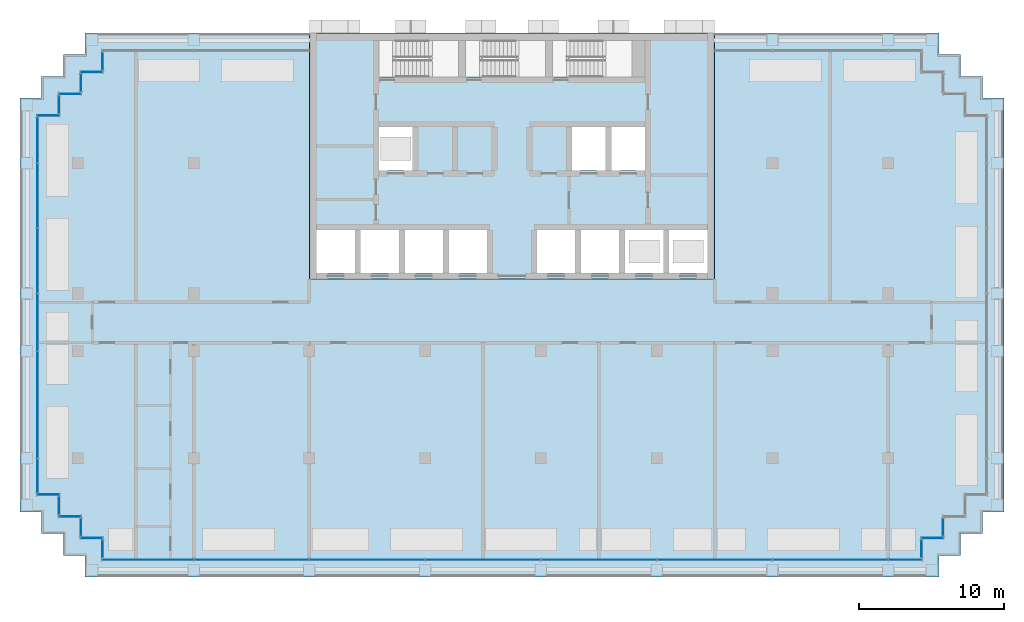
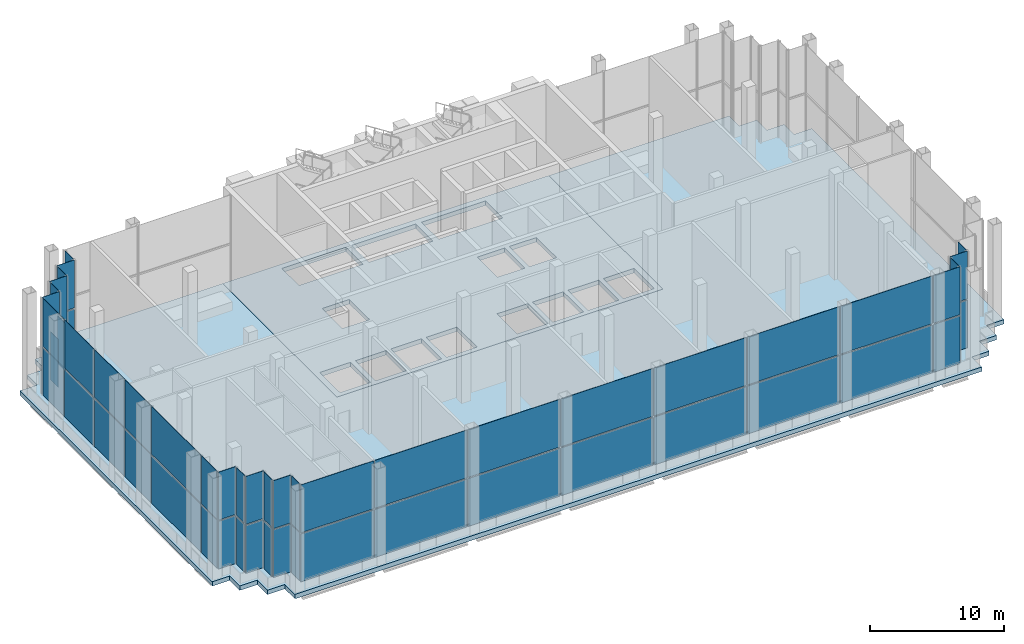
# One storey, part 6 of 16: 58 plates, 2 slabs, 17 elements without a shape of their own.
"""IFC4 building model written with IfcOpenShell, lengths in metres."""

from ifc_helpers import new_model, si_unit, direction, frame, origin, origin_2d, place, context, subcontext, project, spatial, polyline, rectangle, outline, extrude, material, layer, layer_set, type_object, element, aggregate, save


model = new_model("IFC4")

# Units and contexts
model_context = context("Model", 3, precision=1e-05, world=origin(), true_north=direction((0.0, 1.0)))
body_context = subcontext(model_context, "Body", "Model", "MODEL_VIEW")
ifc_project = project(units=[si_unit("LENGTHUNIT", "METRE"), si_unit("AREAUNIT", "SQUARE_METRE"), si_unit("VOLUMEUNIT", "CUBIC_METRE"), si_unit("PLANEANGLEUNIT", "RADIAN"), si_unit("MASSUNIT", "GRAM", prefix="KILO")], contexts=[model_context])

# Site, building, storey
site_placement = place(None, origin())
site = spatial("IfcSite", under=ifc_project, at=site_placement, CompositionType="ELEMENT")
building_placement = place(site_placement, origin())
building = spatial("IfcBuilding", under=site, at=building_placement, Name="Vidyagriha Tower", CompositionType="ELEMENT")
storey_placement = place(building_placement, frame((0.0, 0.0, 151.800048828125)))
storey = spatial("IfcBuildingStorey", under=building, at=storey_placement, Name="L40", CompositionType="ELEMENT", Elevation=151.800048828125)

# Slab
ifc_material_1 = material(Name="Concrete C60/75", Category="concrete")
ifc_layer_1 = layer(ifc_material_1, 0.39990234375)
ifc_layer_set_1 = layer_set([ifc_layer_1], Name="Concrete C60/75")
slab_type_1 = type_object("IfcSlabType", Name="Core floor slab 400 mm", PredefinedType="FLOOR", material=ifc_layer_set_1)
slab_1_placement = place(storey_placement, frame((0.0, 0.0, -0.400146484375)))
element("IfcSlab", 1, at=slab_1_placement, inside=storey, type_object=slab_type_1, Name="L40 core floor 1", PredefinedType="FLOOR", context=body_context, shape_type="SweptSolid", body=[
    extrude(outline(polyline([(-14.0, 3.0), (-14.0, 20.0), (14.0, 20.0), (14.0, 3.0), (-14.0, 3.0)]), holes=[polyline([(13.5, 6.39990234375), (10.855712890625, 6.39990234375), (10.855712890625, 3.39990234375), (13.5, 3.39990234375), (13.5, 6.39990234375)]), polyline([(10.45556640625, 6.39990234375), (7.81103515625, 6.39990234375), (7.81103515625, 3.39990234375), (10.45556640625, 3.39990234375), (10.45556640625, 6.39990234375)]), polyline([(9.199951171875, 13.5), (6.86669921875, 13.5), (6.86669921875, 10.5), (9.199951171875, 10.5), (9.199951171875, 13.5)]), polyline([(8.300048828125, 19.5), (4.0, 19.5), (2.800048828125, 19.5), (2.800048828125, 16.949951171875), (4.0, 16.949951171875), (8.300048828125, 16.949951171875), (8.300048828125, 19.5)]), polyline([(7.4111328125, 6.39990234375), (4.7666015625, 6.39990234375), (4.7666015625, 3.39990234375), (7.4111328125, 3.39990234375), (7.4111328125, 6.39990234375)]), polyline([(6.466796875, 13.5), (4.13330078125, 13.5), (4.13330078125, 10.5), (6.466796875, 10.5), (6.466796875, 13.5)]), polyline([(4.36669921875, 6.39990234375), (1.72216796875, 6.39990234375), (1.72216796875, 3.39990234375), (4.36669921875, 3.39990234375), (4.36669921875, 6.39990234375)]), polyline([(-2.0, 16.949951171875), (2.300048828125, 16.949951171875), (2.300048828125, 19.5), (-2.0, 19.5), (-3.199951171875, 19.5), (-3.199951171875, 16.949951171875), (-2.0, 16.949951171875)]), polyline([(-1.72216796875, 6.39990234375), (-4.36669921875, 6.39990234375), (-4.36669921875, 3.39990234375), (-1.72216796875, 3.39990234375), (-1.72216796875, 6.39990234375)]), polyline([(-8.0, 19.5), (-9.199951171875, 19.5), (-9.199951171875, 16.949951171875), (-8.0, 16.949951171875), (-3.699951171875, 16.949951171875), (-3.699951171875, 19.5), (-8.0, 19.5)]), polyline([(-4.7666015625, 6.39990234375), (-7.4111328125, 6.39990234375), (-7.4111328125, 3.39990234375), (-4.7666015625, 3.39990234375), (-4.7666015625, 6.39990234375)]), polyline([(-6.86669921875, 13.5), (-9.199951171875, 13.5), (-9.199951171875, 10.5), (-6.86669921875, 10.5), (-6.86669921875, 13.5)]), polyline([(-7.81103515625, 6.39990234375), (-10.45556640625, 6.39990234375), (-10.45556640625, 3.39990234375), (-7.81103515625, 3.39990234375), (-7.81103515625, 6.39990234375)]), polyline([(-10.855712890625, 6.39990234375), (-13.5, 6.39990234375), (-13.5, 3.39990234375), (-10.855712890625, 3.39990234375), (-10.855712890625, 6.39990234375)])]), origin(), (0.0, 0.0, 1.0), 0.400146484375),
])

# Curtain wall, plates
ifc_material_2 = material(Name="Aluminium and glass curtain wall", Category="aluminium")
curtain_wall_type = type_object("IfcCurtainWallType", Name="Winter garden glazing wall", PredefinedType="USERDEFINED", material=ifc_material_2)
curtain_wall_1_placement = place(storey_placement, origin())
curtain_wall_1 = element("IfcCurtainWall", 2, at=curtain_wall_1_placement, inside=storey, type_object=curtain_wall_type, Name="CW3 winter garden glazing", ObjectType="STICK GLAZING", PredefinedType="USERDEFINED")
ifc_material_3 = material(Name="Laminated green-tint solar-control glass", Category="glass")
ifc_layer_2 = layer(ifc_material_3, 0.031982421875)
ifc_layer_set_2 = layer_set([ifc_layer_2], Name="Laminated green-tint solar-control glass")
plate_type = type_object("IfcPlateType", Name="Green-tint winter garden glass panel", PredefinedType="CURTAIN_PANEL", material=ifc_layer_set_2)
plate_1_placement = place(storey_placement, frame((-28.300048828125, 18.050048828125, 0.0), z_axis=(0.0, 0.0, 1.0), x_axis=(0.0, -1.0, 0.0)))
plate_1 = element("IfcPlate", 3, at=plate_1_placement, type_object=plate_type, Name="CW3 panel 1.1", PredefinedType="CURTAIN_PANEL", context=body_context, shape_type="SweptSolid", body=[
    extrude(rectangle(XDim=1.179931640625, YDim=0.031982421875, at=origin_2d()), origin(), (0.0, 0.0, 1.0), 4.340087890625),
])
plate_2_placement = place(storey_placement, frame((-28.300048828125, 18.050048828125, 4.4599609375), z_axis=(0.0, 0.0, 1.0), x_axis=(0.0, -1.0, 0.0)))
plate_2 = element("IfcPlate", 4, at=plate_2_placement, type_object=plate_type, Name="CW3 panel 1.2", PredefinedType="CURTAIN_PANEL", context=body_context, shape_type="SweptSolid", body=[
    extrude(rectangle(XDim=1.179931640625, YDim=0.031982421875, at=origin_2d()), origin(), (0.0, 0.0, 1.0), 4.340087890625),
])
aggregate(curtain_wall_1, [plate_1, plate_2])

curtain_wall_2_placement = place(storey_placement, origin())
curtain_wall_2 = element("IfcCurtainWall", 5, at=curtain_wall_2_placement, inside=storey, type_object=curtain_wall_type, Name="CW3 winter garden glazing", ObjectType="STICK GLAZING", PredefinedType="USERDEFINED")
plate_3_placement = place(storey_placement, frame((-29.050048828125, 17.300048828125, 0.0), z_axis=(0.0, 0.0, 1.0), x_axis=(-1.0, 0.0, 0.0)))
plate_3 = element("IfcPlate", 6, at=plate_3_placement, type_object=plate_type, Name="CW3 panel 1.1", PredefinedType="CURTAIN_PANEL", context=body_context, shape_type="SweptSolid", body=[
    extrude(rectangle(XDim=1.5, YDim=0.031982421875, at=origin_2d()), origin(), (0.0, 0.0, 1.0), 4.340087890625),
])
plate_4_placement = place(storey_placement, frame((-29.050048828125, 17.300048828125, 4.4599609375), z_axis=(0.0, 0.0, 1.0), x_axis=(-1.0, 0.0, 0.0)))
plate_4 = element("IfcPlate", 7, at=plate_4_placement, type_object=plate_type, Name="CW3 panel 1.2", PredefinedType="CURTAIN_PANEL", context=body_context, shape_type="SweptSolid", body=[
    extrude(rectangle(XDim=1.5, YDim=0.031982421875, at=origin_2d()), origin(), (0.0, 0.0, 1.0), 4.340087890625),
])
aggregate(curtain_wall_2, [plate_3, plate_4])

curtain_wall_3_placement = place(storey_placement, origin())
curtain_wall_3 = element("IfcCurtainWall", 8, at=curtain_wall_3_placement, inside=storey, type_object=curtain_wall_type, Name="CW3 winter garden glazing", ObjectType="STICK GLAZING", PredefinedType="USERDEFINED")
plate_5_placement = place(storey_placement, frame((-29.800048828125, 16.550048828125, 0.0), z_axis=(0.0, 0.0, 1.0), x_axis=(0.0, -1.0, 0.0)))
plate_5 = element("IfcPlate", 9, at=plate_5_placement, type_object=plate_type, Name="CW3 panel 1.1", PredefinedType="CURTAIN_PANEL", context=body_context, shape_type="SweptSolid", body=[
    extrude(rectangle(XDim=1.179931640625, YDim=0.031982421875, at=origin_2d()), origin(), (0.0, 0.0, 1.0), 4.340087890625),
])
plate_6_placement = place(storey_placement, frame((-29.800048828125, 16.550048828125, 4.4599609375), z_axis=(0.0, 0.0, 1.0), x_axis=(0.0, -1.0, 0.0)))
plate_6 = element("IfcPlate", 10, at=plate_6_placement, type_object=plate_type, Name="CW3 panel 1.2", PredefinedType="CURTAIN_PANEL", context=body_context, shape_type="SweptSolid", body=[
    extrude(rectangle(XDim=1.179931640625, YDim=0.031982421875, at=origin_2d()), origin(), (0.0, 0.0, 1.0), 4.340087890625),
])
aggregate(curtain_wall_3, [plate_5, plate_6])

curtain_wall_4_placement = place(storey_placement, origin())
curtain_wall_4 = element("IfcCurtainWall", 11, at=curtain_wall_4_placement, inside=storey, type_object=curtain_wall_type, Name="CW3 winter garden glazing", ObjectType="STICK GLAZING", PredefinedType="USERDEFINED")
plate_7_placement = place(storey_placement, frame((-30.550048828125, 15.800048828125, 0.0), z_axis=(0.0, 0.0, 1.0), x_axis=(-1.0, 0.0, 0.0)))
plate_7 = element("IfcPlate", 12, at=plate_7_placement, type_object=plate_type, Name="CW3 panel 1.1", PredefinedType="CURTAIN_PANEL", context=body_context, shape_type="SweptSolid", body=[
    extrude(rectangle(XDim=1.5, YDim=0.031982421875, at=origin_2d()), origin(), (0.0, 0.0, 1.0), 4.340087890625),
])
plate_8_placement = place(storey_placement, frame((-30.550048828125, 15.800048828125, 4.4599609375), z_axis=(0.0, 0.0, 1.0), x_axis=(-1.0, 0.0, 0.0)))
plate_8 = element("IfcPlate", 13, at=plate_8_placement, type_object=plate_type, Name="CW3 panel 1.2", PredefinedType="CURTAIN_PANEL", context=body_context, shape_type="SweptSolid", body=[
    extrude(rectangle(XDim=1.5, YDim=0.031982421875, at=origin_2d()), origin(), (0.0, 0.0, 1.0), 4.340087890625),
])
aggregate(curtain_wall_4, [plate_7, plate_8])

curtain_wall_5_placement = place(storey_placement, origin())
curtain_wall_5 = element("IfcCurtainWall", 14, at=curtain_wall_5_placement, inside=storey, type_object=curtain_wall_type, Name="CW3 winter garden glazing", ObjectType="STICK GLAZING", PredefinedType="USERDEFINED")
plate_9_placement = place(storey_placement, frame((-31.300048828125, 15.050048828125, 0.0), z_axis=(0.0, 0.0, 1.0), x_axis=(0.0, -1.0, 0.0)))
plate_9 = element("IfcPlate", 15, at=plate_9_placement, type_object=plate_type, Name="CW3 panel 1.1", PredefinedType="CURTAIN_PANEL", context=body_context, shape_type="SweptSolid", body=[
    extrude(rectangle(XDim=1.179931640625, YDim=0.031982421875, at=origin_2d()), origin(), (0.0, 0.0, 1.0), 4.340087890625),
])
plate_10_placement = place(storey_placement, frame((-31.300048828125, 15.050048828125, 4.4599609375), z_axis=(0.0, 0.0, 1.0), x_axis=(0.0, -1.0, 0.0)))
plate_10 = element("IfcPlate", 16, at=plate_10_placement, type_object=plate_type, Name="CW3 panel 1.2", PredefinedType="CURTAIN_PANEL", context=body_context, shape_type="SweptSolid", body=[
    extrude(rectangle(XDim=1.179931640625, YDim=0.031982421875, at=origin_2d()), origin(), (0.0, 0.0, 1.0), 4.340087890625),
])
aggregate(curtain_wall_5, [plate_9, plate_10])

curtain_wall_6_placement = place(storey_placement, origin())
curtain_wall_6 = element("IfcCurtainWall", 17, at=curtain_wall_6_placement, inside=storey, type_object=curtain_wall_type, Name="CW3 winter garden glazing", ObjectType="STICK GLAZING", PredefinedType="USERDEFINED")
plate_11_placement = place(storey_placement, frame((-32.050048828125, 14.300048828125, 0.0), z_axis=(0.0, 0.0, 1.0), x_axis=(-1.0, 0.0, 0.0)))
plate_11 = element("IfcPlate", 18, at=plate_11_placement, type_object=plate_type, Name="CW3 panel 1.1", PredefinedType="CURTAIN_PANEL", context=body_context, shape_type="SweptSolid", body=[
    extrude(rectangle(XDim=1.5, YDim=0.031982421875, at=origin_2d()), origin(), (0.0, 0.0, 1.0), 4.340087890625),
])
plate_12_placement = place(storey_placement, frame((-32.050048828125, 14.300048828125, 4.4599609375), z_axis=(0.0, 0.0, 1.0), x_axis=(-1.0, 0.0, 0.0)))
plate_12 = element("IfcPlate", 19, at=plate_12_placement, type_object=plate_type, Name="CW3 panel 1.2", PredefinedType="CURTAIN_PANEL", context=body_context, shape_type="SweptSolid", body=[
    extrude(rectangle(XDim=1.5, YDim=0.031982421875, at=origin_2d()), origin(), (0.0, 0.0, 1.0), 4.340087890625),
])
aggregate(curtain_wall_6, [plate_11, plate_12])

curtain_wall_7_placement = place(storey_placement, origin())
curtain_wall_7 = element("IfcCurtainWall", 20, at=curtain_wall_7_placement, inside=storey, type_object=curtain_wall_type, Name="CW3 winter garden glazing", ObjectType="STICK GLAZING", PredefinedType="USERDEFINED")
plate_13_placement = place(storey_placement, frame((-32.800048828125, 12.590087890625, 0.0), z_axis=(0.0, 0.0, 1.0), x_axis=(0.0, -1.0, 0.0)))
plate_13 = element("IfcPlate", 21, at=plate_13_placement, type_object=plate_type, Name="CW3 panel 1.1", PredefinedType="CURTAIN_PANEL", context=body_context, shape_type="SweptSolid", body=[
    extrude(rectangle(XDim=3.10009765625, YDim=0.031982421875, at=origin_2d()), origin(), (0.0, 0.0, 1.0), 4.340087890625),
])
plate_14_placement = place(storey_placement, frame((-32.800048828125, 12.590087890625, 4.4599609375), z_axis=(0.0, 0.0, 1.0), x_axis=(0.0, -1.0, 0.0)))
plate_14 = element("IfcPlate", 22, at=plate_14_placement, type_object=plate_type, Name="CW3 panel 1.2", PredefinedType="CURTAIN_PANEL", context=body_context, shape_type="SweptSolid", body=[
    extrude(rectangle(XDim=3.10009765625, YDim=0.031982421875, at=origin_2d()), origin(), (0.0, 0.0, 1.0), 4.340087890625),
])
plate_15_placement = place(storey_placement, frame((-32.800048828125, 8.75, 0.0), z_axis=(0.0, 0.0, 1.0), x_axis=(0.0, -1.0, 0.0)))
plate_15 = element("IfcPlate", 23, at=plate_15_placement, type_object=plate_type, Name="CW3 panel 2.1", PredefinedType="CURTAIN_PANEL", context=body_context, shape_type="SweptSolid", body=[
    extrude(rectangle(XDim=4.419921875, YDim=0.031982421875, at=origin_2d()), origin(), (0.0, 0.0, 1.0), 4.340087890625),
])
plate_16_placement = place(storey_placement, frame((-32.800048828125, 8.75, 4.4599609375), z_axis=(0.0, 0.0, 1.0), x_axis=(0.0, -1.0, 0.0)))
plate_16 = element("IfcPlate", 24, at=plate_16_placement, type_object=plate_type, Name="CW3 panel 2.2", PredefinedType="CURTAIN_PANEL", context=body_context, shape_type="SweptSolid", body=[
    extrude(rectangle(XDim=4.419921875, YDim=0.031982421875, at=origin_2d()), origin(), (0.0, 0.0, 1.0), 4.340087890625),
])
plate_17_placement = place(storey_placement, frame((-32.800048828125, 4.25, 0.0), z_axis=(0.0, 0.0, 1.0), x_axis=(0.0, -1.0, 0.0)))
plate_17 = element("IfcPlate", 25, at=plate_17_placement, type_object=plate_type, Name="CW3 panel 3.1", PredefinedType="CURTAIN_PANEL", context=body_context, shape_type="SweptSolid", body=[
    extrude(rectangle(XDim=4.419921875, YDim=0.031982421875, at=origin_2d()), origin(), (0.0, 0.0, 1.0), 4.340087890625),
])
plate_18_placement = place(storey_placement, frame((-32.800048828125, 4.25, 4.4599609375), z_axis=(0.0, 0.0, 1.0), x_axis=(0.0, -1.0, 0.0)))
plate_18 = element("IfcPlate", 26, at=plate_18_placement, type_object=plate_type, Name="CW3 panel 3.2", PredefinedType="CURTAIN_PANEL", context=body_context, shape_type="SweptSolid", body=[
    extrude(rectangle(XDim=4.419921875, YDim=0.031982421875, at=origin_2d()), origin(), (0.0, 0.0, 1.0), 4.340087890625),
])
plate_19_placement = place(storey_placement, frame((-32.800048828125, 0.0, 0.0), z_axis=(0.0, 0.0, 1.0), x_axis=(0.0, -1.0, 0.0)))
plate_19 = element("IfcPlate", 27, at=plate_19_placement, type_object=plate_type, Name="CW3 panel 4.1", PredefinedType="CURTAIN_PANEL", context=body_context, shape_type="SweptSolid", body=[
    extrude(rectangle(XDim=3.919921875, YDim=0.031982421875, at=origin_2d()), origin(), (0.0, 0.0, 1.0), 4.340087890625),
])
plate_20_placement = place(storey_placement, frame((-32.800048828125, 0.0, 4.4599609375), z_axis=(0.0, 0.0, 1.0), x_axis=(0.0, -1.0, 0.0)))
plate_20 = element("IfcPlate", 28, at=plate_20_placement, type_object=plate_type, Name="CW3 panel 4.2", PredefinedType="CURTAIN_PANEL", context=body_context, shape_type="SweptSolid", body=[
    extrude(rectangle(XDim=3.919921875, YDim=0.031982421875, at=origin_2d()), origin(), (0.0, 0.0, 1.0), 4.340087890625),
])
plate_21_placement = place(storey_placement, frame((-32.800048828125, -5.699951171875, 0.0), z_axis=(0.0, 0.0, 1.0), x_axis=(0.0, -1.0, 0.0)))
plate_21 = element("IfcPlate", 29, at=plate_21_placement, type_object=plate_type, Name="CW3 panel 5.1", PredefinedType="CURTAIN_PANEL", context=body_context, shape_type="SweptSolid", body=[
    extrude(rectangle(XDim=7.320068359375, YDim=0.031982421875, at=origin_2d()), origin(), (0.0, 0.0, 1.0), 4.340087890625),
])
plate_22_placement = place(storey_placement, frame((-32.800048828125, -5.699951171875, 4.4599609375), z_axis=(0.0, 0.0, 1.0), x_axis=(0.0, -1.0, 0.0)))
plate_22 = element("IfcPlate", 30, at=plate_22_placement, type_object=plate_type, Name="CW3 panel 5.2", PredefinedType="CURTAIN_PANEL", context=body_context, shape_type="SweptSolid", body=[
    extrude(rectangle(XDim=7.320068359375, YDim=0.031982421875, at=origin_2d()), origin(), (0.0, 0.0, 1.0), 4.340087890625),
])
plate_23_placement = place(storey_placement, frame((-32.800048828125, -10.590087890625, 0.0), z_axis=(0.0, 0.0, 1.0), x_axis=(0.0, -1.0, 0.0)))
plate_23 = element("IfcPlate", 31, at=plate_23_placement, type_object=plate_type, Name="CW3 panel 6.1", PredefinedType="CURTAIN_PANEL", context=body_context, shape_type="SweptSolid", body=[
    extrude(rectangle(XDim=2.300048828125, YDim=0.031982421875, at=origin_2d()), origin(), (0.0, 0.0, 1.0), 4.340087890625),
])
plate_24_placement = place(storey_placement, frame((-32.800048828125, -10.590087890625, 4.4599609375), z_axis=(0.0, 0.0, 1.0), x_axis=(0.0, -1.0, 0.0)))
plate_24 = element("IfcPlate", 32, at=plate_24_placement, type_object=plate_type, Name="CW3 panel 6.2", PredefinedType="CURTAIN_PANEL", context=body_context, shape_type="SweptSolid", body=[
    extrude(rectangle(XDim=2.300048828125, YDim=0.031982421875, at=origin_2d()), origin(), (0.0, 0.0, 1.0), 4.340087890625),
])
aggregate(curtain_wall_7, [plate_13, plate_14, plate_15, plate_16, plate_17, plate_18, plate_19, plate_20, plate_21, plate_22, plate_23, plate_24])

curtain_wall_8_placement = place(storey_placement, origin())
curtain_wall_8 = element("IfcCurtainWall", 33, at=curtain_wall_8_placement, inside=storey, type_object=curtain_wall_type, Name="CW3 winter garden glazing", ObjectType="STICK GLAZING", PredefinedType="USERDEFINED")
plate_25_placement = place(storey_placement, frame((-32.050048828125, -11.89990234375, 0.0)))
plate_25 = element("IfcPlate", 34, at=plate_25_placement, type_object=plate_type, Name="CW3 panel 1.1", PredefinedType="CURTAIN_PANEL", context=body_context, shape_type="SweptSolid", body=[
    extrude(rectangle(XDim=1.5, YDim=0.031982421875, at=origin_2d()), origin(), (0.0, 0.0, 1.0), 4.340087890625),
])
plate_26_placement = place(storey_placement, frame((-32.050048828125, -11.89990234375, 4.4599609375)))
plate_26 = element("IfcPlate", 35, at=plate_26_placement, type_object=plate_type, Name="CW3 panel 1.2", PredefinedType="CURTAIN_PANEL", context=body_context, shape_type="SweptSolid", body=[
    extrude(rectangle(XDim=1.5, YDim=0.031982421875, at=origin_2d()), origin(), (0.0, 0.0, 1.0), 4.340087890625),
])
aggregate(curtain_wall_8, [plate_25, plate_26])

curtain_wall_9_placement = place(storey_placement, origin())
curtain_wall_9 = element("IfcCurtainWall", 36, at=curtain_wall_9_placement, inside=storey, type_object=curtain_wall_type, Name="CW3 winter garden glazing", ObjectType="STICK GLAZING", PredefinedType="USERDEFINED")
plate_27_placement = place(storey_placement, frame((-31.300048828125, -12.64990234375, 0.0), z_axis=(0.0, 0.0, 1.0), x_axis=(0.0, -1.0, 0.0)))
plate_27 = element("IfcPlate", 37, at=plate_27_placement, type_object=plate_type, Name="CW3 panel 1.1", PredefinedType="CURTAIN_PANEL", context=body_context, shape_type="SweptSolid", body=[
    extrude(rectangle(XDim=1.179931640625, YDim=0.031982421875, at=origin_2d()), origin(), (0.0, 0.0, 1.0), 4.340087890625),
])
plate_28_placement = place(storey_placement, frame((-31.300048828125, -12.64990234375, 4.4599609375), z_axis=(0.0, 0.0, 1.0), x_axis=(0.0, -1.0, 0.0)))
plate_28 = element("IfcPlate", 38, at=plate_28_placement, type_object=plate_type, Name="CW3 panel 1.2", PredefinedType="CURTAIN_PANEL", context=body_context, shape_type="SweptSolid", body=[
    extrude(rectangle(XDim=1.179931640625, YDim=0.031982421875, at=origin_2d()), origin(), (0.0, 0.0, 1.0), 4.340087890625),
])
aggregate(curtain_wall_9, [plate_27, plate_28])

curtain_wall_10_placement = place(storey_placement, origin())
curtain_wall_10 = element("IfcCurtainWall", 39, at=curtain_wall_10_placement, inside=storey, type_object=curtain_wall_type, Name="CW3 winter garden glazing", ObjectType="STICK GLAZING", PredefinedType="USERDEFINED")
plate_29_placement = place(storey_placement, frame((-30.550048828125, -13.39990234375, 0.0)))
plate_29 = element("IfcPlate", 40, at=plate_29_placement, type_object=plate_type, Name="CW3 panel 1.1", PredefinedType="CURTAIN_PANEL", context=body_context, shape_type="SweptSolid", body=[
    extrude(rectangle(XDim=1.5, YDim=0.031982421875, at=origin_2d()), origin(), (0.0, 0.0, 1.0), 4.340087890625),
])
plate_30_placement = place(storey_placement, frame((-30.550048828125, -13.39990234375, 4.4599609375)))
plate_30 = element("IfcPlate", 41, at=plate_30_placement, type_object=plate_type, Name="CW3 panel 1.2", PredefinedType="CURTAIN_PANEL", context=body_context, shape_type="SweptSolid", body=[
    extrude(rectangle(XDim=1.5, YDim=0.031982421875, at=origin_2d()), origin(), (0.0, 0.0, 1.0), 4.340087890625),
])
aggregate(curtain_wall_10, [plate_29, plate_30])

curtain_wall_11_placement = place(storey_placement, origin())
curtain_wall_11 = element("IfcCurtainWall", 42, at=curtain_wall_11_placement, inside=storey, type_object=curtain_wall_type, Name="CW3 winter garden glazing", ObjectType="STICK GLAZING", PredefinedType="USERDEFINED")
plate_31_placement = place(storey_placement, frame((-29.800048828125, -14.14990234375, 0.0), z_axis=(0.0, 0.0, 1.0), x_axis=(0.0, -1.0, 0.0)))
plate_31 = element("IfcPlate", 43, at=plate_31_placement, type_object=plate_type, Name="CW3 panel 1.1", PredefinedType="CURTAIN_PANEL", context=body_context, shape_type="SweptSolid", body=[
    extrude(rectangle(XDim=1.179931640625, YDim=0.031982421875, at=origin_2d()), origin(), (0.0, 0.0, 1.0), 4.340087890625),
])
plate_32_placement = place(storey_placement, frame((-29.800048828125, -14.14990234375, 4.4599609375), z_axis=(0.0, 0.0, 1.0), x_axis=(0.0, -1.0, 0.0)))
plate_32 = element("IfcPlate", 44, at=plate_32_placement, type_object=plate_type, Name="CW3 panel 1.2", PredefinedType="CURTAIN_PANEL", context=body_context, shape_type="SweptSolid", body=[
    extrude(rectangle(XDim=1.179931640625, YDim=0.031982421875, at=origin_2d()), origin(), (0.0, 0.0, 1.0), 4.340087890625),
])
aggregate(curtain_wall_11, [plate_31, plate_32])

curtain_wall_12_placement = place(storey_placement, origin())
curtain_wall_12 = element("IfcCurtainWall", 45, at=curtain_wall_12_placement, inside=storey, type_object=curtain_wall_type, Name="CW3 winter garden glazing", ObjectType="STICK GLAZING", PredefinedType="USERDEFINED")
plate_33_placement = place(storey_placement, frame((-29.050048828125, -14.89990234375, 0.0)))
plate_33 = element("IfcPlate", 46, at=plate_33_placement, type_object=plate_type, Name="CW3 panel 1.1", PredefinedType="CURTAIN_PANEL", context=body_context, shape_type="SweptSolid", body=[
    extrude(rectangle(XDim=1.5, YDim=0.031982421875, at=origin_2d()), origin(), (0.0, 0.0, 1.0), 4.340087890625),
])
plate_34_placement = place(storey_placement, frame((-29.050048828125, -14.89990234375, 4.4599609375)))
plate_34 = element("IfcPlate", 47, at=plate_34_placement, type_object=plate_type, Name="CW3 panel 1.2", PredefinedType="CURTAIN_PANEL", context=body_context, shape_type="SweptSolid", body=[
    extrude(rectangle(XDim=1.5, YDim=0.031982421875, at=origin_2d()), origin(), (0.0, 0.0, 1.0), 4.340087890625),
])
aggregate(curtain_wall_12, [plate_33, plate_34])

curtain_wall_13_placement = place(storey_placement, origin())
curtain_wall_13 = element("IfcCurtainWall", 48, at=curtain_wall_13_placement, inside=storey, type_object=curtain_wall_type, Name="CW3 winter garden glazing", ObjectType="STICK GLAZING", PredefinedType="USERDEFINED")
plate_35_placement = place(storey_placement, frame((-28.300048828125, -15.64990234375, 0.0), z_axis=(0.0, 0.0, 1.0), x_axis=(0.0, -1.0, 0.0)))
plate_35 = element("IfcPlate", 49, at=plate_35_placement, type_object=plate_type, Name="CW3 panel 1.1", PredefinedType="CURTAIN_PANEL", context=body_context, shape_type="SweptSolid", body=[
    extrude(rectangle(XDim=1.179931640625, YDim=0.031982421875, at=origin_2d()), origin(), (0.0, 0.0, 1.0), 4.340087890625),
])
plate_36_placement = place(storey_placement, frame((-28.300048828125, -15.64990234375, 4.4599609375), z_axis=(0.0, 0.0, 1.0), x_axis=(0.0, -1.0, 0.0)))
plate_36 = element("IfcPlate", 50, at=plate_36_placement, type_object=plate_type, Name="CW3 panel 1.2", PredefinedType="CURTAIN_PANEL", context=body_context, shape_type="SweptSolid", body=[
    extrude(rectangle(XDim=1.179931640625, YDim=0.031982421875, at=origin_2d()), origin(), (0.0, 0.0, 1.0), 4.340087890625),
])
aggregate(curtain_wall_13, [plate_35, plate_36])

curtain_wall_14_placement = place(storey_placement, origin())
curtain_wall_14 = element("IfcCurtainWall", 51, at=curtain_wall_14_placement, inside=storey, type_object=curtain_wall_type, Name="CW3 winter garden glazing", ObjectType="STICK GLAZING", PredefinedType="USERDEFINED")
plate_37_placement = place(storey_placement, frame((-25.169921875, -16.39990234375, 0.0)))
plate_37 = element("IfcPlate", 52, at=plate_37_placement, type_object=plate_type, Name="CW3 panel 1.1", PredefinedType="CURTAIN_PANEL", context=body_context, shape_type="SweptSolid", body=[
    extrude(rectangle(XDim=6.260009765625, YDim=0.031982421875, at=origin_2d()), origin(), (0.0, 0.0, 1.0), 4.340087890625),
])
plate_38_placement = place(storey_placement, frame((-25.169921875, -16.39990234375, 4.4599609375)))
plate_38 = element("IfcPlate", 53, at=plate_38_placement, type_object=plate_type, Name="CW3 panel 1.2", PredefinedType="CURTAIN_PANEL", context=body_context, shape_type="SweptSolid", body=[
    extrude(rectangle(XDim=6.260009765625, YDim=0.031982421875, at=origin_2d()), origin(), (0.0, 0.0, 1.0), 4.340087890625),
])
plate_39_placement = place(storey_placement, frame((-18.0, -16.39990234375, 0.0)))
plate_39 = element("IfcPlate", 54, at=plate_39_placement, type_object=plate_type, Name="CW3 panel 2.1", PredefinedType="CURTAIN_PANEL", context=body_context, shape_type="SweptSolid", body=[
    extrude(rectangle(XDim=7.919921875, YDim=0.031982421875, at=origin_2d()), origin(), (0.0, 0.0, 1.0), 4.340087890625),
])
plate_40_placement = place(storey_placement, frame((-18.0, -16.39990234375, 4.4599609375)))
plate_40 = element("IfcPlate", 55, at=plate_40_placement, type_object=plate_type, Name="CW3 panel 2.2", PredefinedType="CURTAIN_PANEL", context=body_context, shape_type="SweptSolid", body=[
    extrude(rectangle(XDim=7.919921875, YDim=0.031982421875, at=origin_2d()), origin(), (0.0, 0.0, 1.0), 4.340087890625),
])
plate_41_placement = place(storey_placement, frame((-10.0, -16.39990234375, 0.0)))
plate_41 = element("IfcPlate", 56, at=plate_41_placement, type_object=plate_type, Name="CW3 panel 3.1", PredefinedType="CURTAIN_PANEL", context=body_context, shape_type="SweptSolid", body=[
    extrude(rectangle(XDim=7.919921875, YDim=0.031982421875, at=origin_2d()), origin(), (0.0, 0.0, 1.0), 4.340087890625),
])
plate_42_placement = place(storey_placement, frame((-10.0, -16.39990234375, 4.4599609375)))
plate_42 = element("IfcPlate", 57, at=plate_42_placement, type_object=plate_type, Name="CW3 panel 3.2", PredefinedType="CURTAIN_PANEL", context=body_context, shape_type="SweptSolid", body=[
    extrude(rectangle(XDim=7.919921875, YDim=0.031982421875, at=origin_2d()), origin(), (0.0, 0.0, 1.0), 4.340087890625),
])
plate_43_placement = place(storey_placement, frame((-2.0, -16.39990234375, 0.0)))
plate_43 = element("IfcPlate", 58, at=plate_43_placement, type_object=plate_type, Name="CW3 panel 4.1", PredefinedType="CURTAIN_PANEL", context=body_context, shape_type="SweptSolid", body=[
    extrude(rectangle(XDim=7.919921875, YDim=0.031982421875, at=origin_2d()), origin(), (0.0, 0.0, 1.0), 4.340087890625),
])
plate_44_placement = place(storey_placement, frame((-2.0, -16.39990234375, 4.4599609375)))
plate_44 = element("IfcPlate", 59, at=plate_44_placement, type_object=plate_type, Name="CW3 panel 4.2", PredefinedType="CURTAIN_PANEL", context=body_context, shape_type="SweptSolid", body=[
    extrude(rectangle(XDim=7.919921875, YDim=0.031982421875, at=origin_2d()), origin(), (0.0, 0.0, 1.0), 4.340087890625),
])
plate_45_placement = place(storey_placement, frame((6.0, -16.39990234375, 0.0)))
plate_45 = element("IfcPlate", 60, at=plate_45_placement, type_object=plate_type, Name="CW3 panel 5.1", PredefinedType="CURTAIN_PANEL", context=body_context, shape_type="SweptSolid", body=[
    extrude(rectangle(XDim=7.919921875, YDim=0.031982421875, at=origin_2d()), origin(), (0.0, 0.0, 1.0), 4.340087890625),
])
plate_46_placement = place(storey_placement, frame((6.0, -16.39990234375, 4.4599609375)))
plate_46 = element("IfcPlate", 61, at=plate_46_placement, type_object=plate_type, Name="CW3 panel 5.2", PredefinedType="CURTAIN_PANEL", context=body_context, shape_type="SweptSolid", body=[
    extrude(rectangle(XDim=7.919921875, YDim=0.031982421875, at=origin_2d()), origin(), (0.0, 0.0, 1.0), 4.340087890625),
])
plate_47_placement = place(storey_placement, frame((14.0, -16.39990234375, 0.0)))
plate_47 = element("IfcPlate", 62, at=plate_47_placement, type_object=plate_type, Name="CW3 panel 6.1", PredefinedType="CURTAIN_PANEL", context=body_context, shape_type="SweptSolid", body=[
    extrude(rectangle(XDim=7.919921875, YDim=0.031982421875, at=origin_2d()), origin(), (0.0, 0.0, 1.0), 4.340087890625),
])
plate_48_placement = place(storey_placement, frame((14.0, -16.39990234375, 4.4599609375)))
plate_48 = element("IfcPlate", 63, at=plate_48_placement, type_object=plate_type, Name="CW3 panel 6.2", PredefinedType="CURTAIN_PANEL", context=body_context, shape_type="SweptSolid", body=[
    extrude(rectangle(XDim=7.919921875, YDim=0.031982421875, at=origin_2d()), origin(), (0.0, 0.0, 1.0), 4.340087890625),
])
plate_49_placement = place(storey_placement, frame((22.0, -16.39990234375, 0.0)))
plate_49 = element("IfcPlate", 64, at=plate_49_placement, type_object=plate_type, Name="CW3 panel 7.1", PredefinedType="CURTAIN_PANEL", context=body_context, shape_type="SweptSolid", body=[
    extrude(rectangle(XDim=7.919921875, YDim=0.031982421875, at=origin_2d()), origin(), (0.0, 0.0, 1.0), 4.340087890625),
])
plate_50_placement = place(storey_placement, frame((22.0, -16.39990234375, 4.4599609375)))
plate_50 = element("IfcPlate", 65, at=plate_50_placement, type_object=plate_type, Name="CW3 panel 7.2", PredefinedType="CURTAIN_PANEL", context=body_context, shape_type="SweptSolid", body=[
    extrude(rectangle(XDim=7.919921875, YDim=0.031982421875, at=origin_2d()), origin(), (0.0, 0.0, 1.0), 4.340087890625),
])
plate_51_placement = place(storey_placement, frame((27.169921875, -16.39990234375, 0.0)))
plate_51 = element("IfcPlate", 66, at=plate_51_placement, type_object=plate_type, Name="CW3 panel 8.1", PredefinedType="CURTAIN_PANEL", context=body_context, shape_type="SweptSolid", body=[
    extrude(rectangle(XDim=2.260009765625, YDim=0.031982421875, at=origin_2d()), origin(), (0.0, 0.0, 1.0), 4.340087890625),
])
plate_52_placement = place(storey_placement, frame((27.169921875, -16.39990234375, 4.4599609375)))
plate_52 = element("IfcPlate", 67, at=plate_52_placement, type_object=plate_type, Name="CW3 panel 8.2", PredefinedType="CURTAIN_PANEL", context=body_context, shape_type="SweptSolid", body=[
    extrude(rectangle(XDim=2.260009765625, YDim=0.031982421875, at=origin_2d()), origin(), (0.0, 0.0, 1.0), 4.340087890625),
])
aggregate(curtain_wall_14, [plate_37, plate_38, plate_39, plate_40, plate_41, plate_42, plate_43, plate_44, plate_45, plate_46, plate_47, plate_48, plate_49, plate_50, plate_51, plate_52])

curtain_wall_15_placement = place(storey_placement, origin())
curtain_wall_15 = element("IfcCurtainWall", 68, at=curtain_wall_15_placement, inside=storey, type_object=curtain_wall_type, Name="CW3 winter garden glazing", ObjectType="STICK GLAZING", PredefinedType="USERDEFINED")
plate_53_placement = place(storey_placement, frame((28.300048828125, -15.64990234375, 0.0), z_axis=(0.0, 0.0, 1.0), x_axis=(0.0, 1.0, 0.0)))
plate_53 = element("IfcPlate", 69, at=plate_53_placement, type_object=plate_type, Name="CW3 panel 1.1", PredefinedType="CURTAIN_PANEL", context=body_context, shape_type="SweptSolid", body=[
    extrude(rectangle(XDim=1.179931640625, YDim=0.031982421875, at=origin_2d()), origin(), (0.0, 0.0, 1.0), 4.340087890625),
])
plate_54_placement = place(storey_placement, frame((28.300048828125, -15.64990234375, 4.4599609375), z_axis=(0.0, 0.0, 1.0), x_axis=(0.0, 1.0, 0.0)))
plate_54 = element("IfcPlate", 70, at=plate_54_placement, type_object=plate_type, Name="CW3 panel 1.2", PredefinedType="CURTAIN_PANEL", context=body_context, shape_type="SweptSolid", body=[
    extrude(rectangle(XDim=1.179931640625, YDim=0.031982421875, at=origin_2d()), origin(), (0.0, 0.0, 1.0), 4.340087890625),
])
aggregate(curtain_wall_15, [plate_53, plate_54])

curtain_wall_16_placement = place(storey_placement, origin())
curtain_wall_16 = element("IfcCurtainWall", 71, at=curtain_wall_16_placement, inside=storey, type_object=curtain_wall_type, Name="CW3 winter garden glazing", ObjectType="STICK GLAZING", PredefinedType="USERDEFINED")
plate_55_placement = place(storey_placement, frame((29.050048828125, -14.89990234375, 0.0)))
plate_55 = element("IfcPlate", 72, at=plate_55_placement, type_object=plate_type, Name="CW3 panel 1.1", PredefinedType="CURTAIN_PANEL", context=body_context, shape_type="SweptSolid", body=[
    extrude(rectangle(XDim=1.5, YDim=0.031982421875, at=origin_2d()), origin(), (0.0, 0.0, 1.0), 4.340087890625),
])
plate_56_placement = place(storey_placement, frame((29.050048828125, -14.89990234375, 4.4599609375)))
plate_56 = element("IfcPlate", 73, at=plate_56_placement, type_object=plate_type, Name="CW3 panel 1.2", PredefinedType="CURTAIN_PANEL", context=body_context, shape_type="SweptSolid", body=[
    extrude(rectangle(XDim=1.5, YDim=0.031982421875, at=origin_2d()), origin(), (0.0, 0.0, 1.0), 4.340087890625),
])
aggregate(curtain_wall_16, [plate_55, plate_56])

curtain_wall_17_placement = place(storey_placement, origin())
curtain_wall_17 = element("IfcCurtainWall", 74, at=curtain_wall_17_placement, inside=storey, type_object=curtain_wall_type, Name="CW3 winter garden glazing", ObjectType="STICK GLAZING", PredefinedType="USERDEFINED")
plate_57_placement = place(storey_placement, frame((29.800048828125, -14.14990234375, 0.0), z_axis=(0.0, 0.0, 1.0), x_axis=(0.0, 1.0, 0.0)))
plate_57 = element("IfcPlate", 75, at=plate_57_placement, type_object=plate_type, Name="CW3 panel 1.1", PredefinedType="CURTAIN_PANEL", context=body_context, shape_type="SweptSolid", body=[
    extrude(rectangle(XDim=1.179931640625, YDim=0.031982421875, at=origin_2d()), origin(), (0.0, 0.0, 1.0), 4.340087890625),
])
plate_58_placement = place(storey_placement, frame((29.800048828125, -14.14990234375, 4.4599609375), z_axis=(0.0, 0.0, 1.0), x_axis=(0.0, 1.0, 0.0)))
plate_58 = element("IfcPlate", 76, at=plate_58_placement, type_object=plate_type, Name="CW3 panel 1.2", PredefinedType="CURTAIN_PANEL", context=body_context, shape_type="SweptSolid", body=[
    extrude(rectangle(XDim=1.179931640625, YDim=0.031982421875, at=origin_2d()), origin(), (0.0, 0.0, 1.0), 4.340087890625),
])
aggregate(curtain_wall_17, [plate_57, plate_58])

# Slab
ifc_material_4 = material(Name="Concrete C50/60", Category="concrete")
ifc_layer_3 = layer(ifc_material_4, 0.39990234375)
ifc_layer_set_3 = layer_set([ifc_layer_3], Name="Concrete C50/60")
slab_type_2 = type_object("IfcSlabType", Name="Post-tensioned flat plate 400", PredefinedType="FLOOR", material=ifc_layer_set_3)
slab_2_placement = place(storey_placement, frame((0.0, 0.0, -0.400146484375)))
element("IfcSlab", 77, at=slab_2_placement, inside=storey, type_object=slab_type_2, Name="st-slab-L40-1", PredefinedType="FLOOR", context=body_context, shape_type="SweptSolid", body=[
    extrude(outline(polyline([(32.5, -13.10009765625), (32.5, -14.60009765625), (31.0, -14.60009765625), (31.0, -16.10009765625), (29.5, -16.10009765625), (29.5, -17.60009765625), (-29.5, -17.60009765625), (-29.5, -16.10009765625), (-31.0, -16.10009765625), (-31.0, -14.60009765625), (-32.5, -14.60009765625), (-32.5, -13.10009765625), (-34.0, -13.10009765625), (-34.0, 15.5), (-32.5, 15.5), (-32.5, 17.0), (-31.0, 17.0), (-31.0, 18.5), (-29.5, 18.5), (-29.5, 20.0), (-14.0, 20.0), (-14.0, 3.0), (14.0, 3.0), (14.0, 20.0), (29.5, 20.0), (29.5, 18.5), (31.0, 18.5), (31.0, 17.0), (32.5, 17.0), (32.5, 15.5), (34.0, 15.5), (34.0, -13.10009765625), (32.5, -13.10009765625)])), origin(), (0.0, 0.0, 1.0), 0.400146484375),
])

save(model, "model.ifc")
